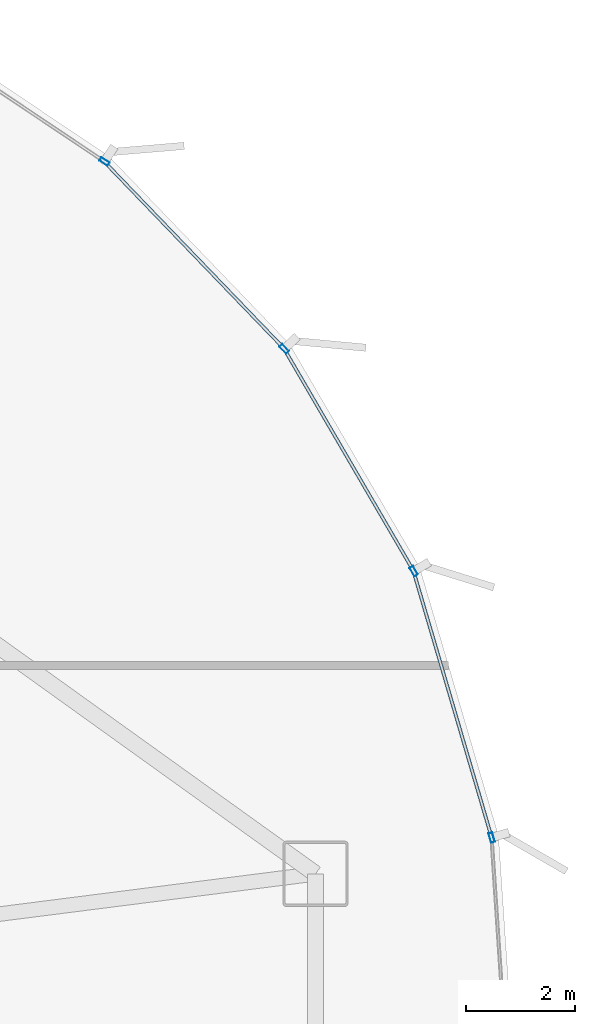
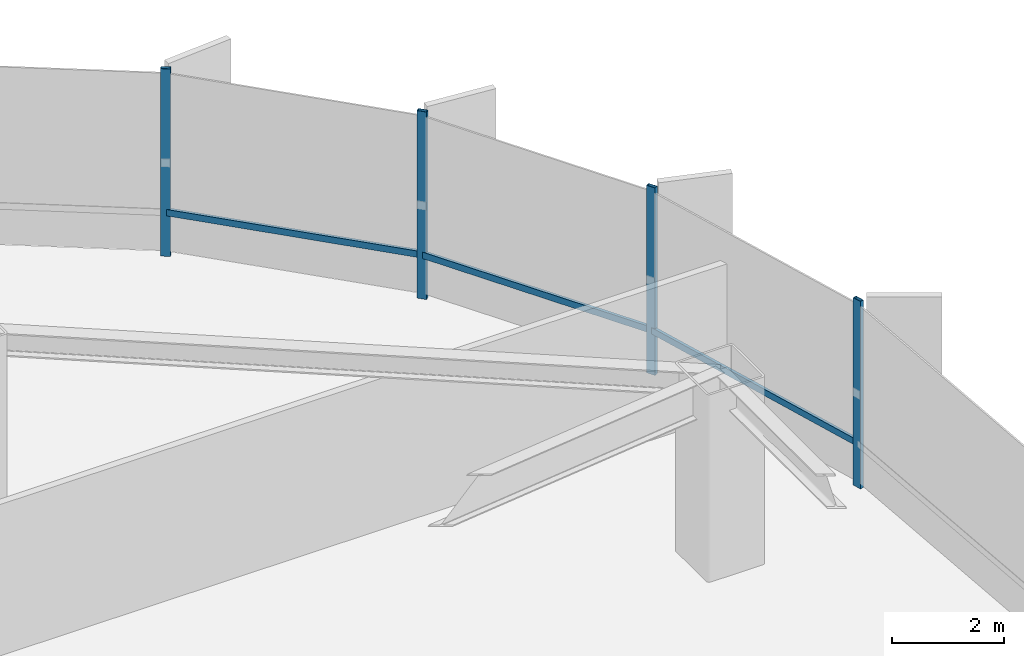
# One storey, part 21 of 34: 7 members, 1 element without a shape of its own.
"""IFC4 building model written with IfcOpenShell, lengths in metres."""

from ifc_helpers import new_model, si_unit, direction, frame, origin, origin_2d, place, context, subcontext, project, spatial, hollow_rectangle, extrude, source, transform, mapped, material, layer, layer_set, material_profile, profile_set, type_object, element, aggregate, save


model = new_model("IFC4")

# Units and contexts
model_context = context("Model", 3, precision=1e-05, world=origin(), true_north=direction((0.0, 1.0)))
body_context = subcontext(model_context, "Body", "Model", "MODEL_VIEW")
ifc_project = project(units=[si_unit("LENGTHUNIT", "METRE"), si_unit("AREAUNIT", "SQUARE_METRE"), si_unit("VOLUMEUNIT", "CUBIC_METRE"), si_unit("PLANEANGLEUNIT", "RADIAN"), si_unit("MASSUNIT", "GRAM", prefix="KILO"), si_unit("THERMODYNAMICTEMPERATUREUNIT", "KELVIN")], contexts=[model_context])

# Site, building, storey
site_placement = place(None, origin())
site = spatial("IfcSite", under=ifc_project, at=site_placement, CompositionType="ELEMENT")
building_placement = place(site_placement, origin())
building = spatial("IfcBuilding", under=site, at=building_placement, Name="Kethvar Cultural Tower", CompositionType="ELEMENT")
storey_placement = place(building_placement, frame((0.0, 0.0, 19.60009765625)))
storey = spatial("IfcBuildingStorey", under=building, at=storey_placement, Name="L04", CompositionType="ELEMENT", Elevation=19.60009765625)

# Curtain wall, members
ifc_material = material(Name="Aluminium 6063-T6", Category="aluminium")
ifc_layer = layer(ifc_material, 0.179931640625, Name="Aluminium 6063-T6", Category="aluminium")
ifc_layer_set = layer_set([ifc_layer], Name="Aluminium 6063-T6 (180 mm)")
curtain_wall_type = type_object("IfcCurtainWallType", Name="CW-SYS-01-POD", PredefinedType="NOTDEFINED", material=ifc_layer_set)
curtain_wall_placement = place(storey_placement, origin())
curtain_wall = element("IfcCurtainWall", 1, at=curtain_wall_placement, inside=storey, type_object=curtain_wall_type, Name="L04 Curtain Wall Run 01", PredefinedType="NOTDEFINED")
ifc_material_profile_1 = material_profile(ifc_material, hollow_rectangle(XDim=0.06005859375, YDim=0.139892578125, WallThickness=0.0048828125, at=origin_2d()), Name="Aluminium 6063-T6 — RHS140x60x5")
ifc_profile_set_1 = profile_set([ifc_material_profile_1], Name="Aluminium 6063-T6 — RHS140x60x5")
member_type_1 = type_object("IfcMemberType", Name="CW-SYS-01-POD-TRN", PredefinedType="USERDEFINED", material=ifc_profile_set_1)
shared_shape_1 = source(origin(), body_context, "Body", "SweptSolid", [
    extrude(hollow_rectangle(XDim=0.06005859375, YDim=0.139892578125, WallThickness=0.0048828125, at=origin_2d()), origin(), (0.0, 0.0, 1.0), 5.012451171875),
])
member_1_placement = place(storey_placement, frame((82.577880859375, 34.993896484375, 0.949951171875), z_axis=(-0.281770748473, 0.959481758714, 0.0), x_axis=(-0.959481758714, -0.281770748473, 0.0)))
member_1 = element("IfcMember", 2, at=member_1_placement, type_object=member_type_1, Name="CW-L04-R01 Transom 2", ObjectType="TRANSOM", PredefinedType="USERDEFINED", context=body_context, shape_type="MappedRepresentation", body=[
    mapped(shared_shape_1, transform((0.0, 0.0, 0.0), scale=1.0)),
])
shared_shape_2 = source(origin(), body_context, "Body", "SweptSolid", [
    extrude(hollow_rectangle(XDim=0.06005859375, YDim=0.139892578125, WallThickness=0.0048828125, at=origin_2d()), origin(), (0.0, 0.0, 1.0), 4.639892578125),
])
member_2_placement = place(storey_placement, frame((81.135498046875, 39.872802734375, 0.949951171875), z_axis=(-0.503504560489, 0.863992568004, 0.0), x_axis=(-0.863992568004, -0.503504560489, 0.0)))
member_2 = element("IfcMember", 3, at=member_2_placement, type_object=member_type_1, Name="CW-L04-R01 Transom 3", ObjectType="TRANSOM", PredefinedType="USERDEFINED", context=body_context, shape_type="MappedRepresentation", body=[
    mapped(shared_shape_2, transform((0.0, 0.0, 0.0), scale=1.0)),
])
shared_shape_3 = source(origin(), body_context, "Body", "SweptSolid", [
    extrude(hollow_rectangle(XDim=0.06005859375, YDim=0.139892578125, WallThickness=0.0048828125, at=origin_2d()), origin(), (0.0, 0.0, 1.0), 4.6826171875),
])
member_3_placement = place(storey_placement, frame((78.75341796875, 43.942626953125, 0.949951171875), z_axis=(-0.693341040309, 0.72060960431, 0.0), x_axis=(-0.72060960431, -0.693341040309, 0.0)))
member_3 = element("IfcMember", 4, at=member_3_placement, type_object=member_type_1, Name="CW-L04-R01 Transom 4", ObjectType="TRANSOM", PredefinedType="USERDEFINED", context=body_context, shape_type="MappedRepresentation", body=[
    mapped(shared_shape_3, transform((0.0, 0.0, 0.0), scale=1.0)),
])
ifc_material_profile_2 = material_profile(ifc_material, hollow_rectangle(XDim=0.074951171875, YDim=0.179931640625, WallThickness=0.006103515625, at=origin_2d()), Name="Aluminium 6063-T6 — RHS180x75x6")
ifc_profile_set_2 = profile_set([ifc_material_profile_2], Name="Aluminium 6063-T6 — RHS180x75x6")
member_type_2 = type_object("IfcMemberType", Name="CW-SYS-01-POD-MUL", PredefinedType="MULLION", material=ifc_profile_set_2)
shared_shape_4 = source(origin(), body_context, "Body", "SweptSolid", [
    extrude(hollow_rectangle(XDim=0.074951171875, YDim=0.179931640625, WallThickness=0.006103515625, at=origin_2d()), origin(), (0.0, 0.0, 1.0), 4.079833984375),
])
member_4_placement = place(storey_placement, frame((82.593017578125, 34.94189453125, 0.0), z_axis=(0.0, 0.0, 1.0), x_axis=(-0.959496102658, -0.28172190008, 0.0)))
member_4 = element("IfcMember", 5, at=member_4_placement, type_object=member_type_2, Name="CW-L04-R01 Mullion 2", PredefinedType="MULLION", context=body_context, shape_type="MappedRepresentation", body=[
    mapped(shared_shape_4, transform((0.0, 0.0, 0.0), scale=1.0)),
])
member_5_placement = place(storey_placement, frame((81.162841796875, 39.826171875, 0.0), z_axis=(0.0, 0.0, 1.0), x_axis=(-0.863984939927, -0.503517649721, 0.0)))
member_5 = element("IfcMember", 6, at=member_5_placement, type_object=member_type_2, Name="CW-L04-R01 Mullion 3", PredefinedType="MULLION", context=body_context, shape_type="MappedRepresentation", body=[
    mapped(shared_shape_4, transform((0.0, 0.0, 0.0), scale=1.0)),
])
member_6_placement = place(storey_placement, frame((78.790771484375, 43.90380859375, 0.0), z_axis=(0.0, 0.0, 1.0), x_axis=(-0.720611619661, -0.693338945689, 0.0)))
member_6 = element("IfcMember", 7, at=member_6_placement, type_object=member_type_2, Name="CW-L04-R01 Mullion 4", PredefinedType="MULLION", context=body_context, shape_type="MappedRepresentation", body=[
    mapped(shared_shape_4, transform((0.0, 0.0, 0.0), scale=1.0)),
])
member_7_placement = place(storey_placement, frame((75.49072265625, 47.337890625, 0.0), z_axis=(0.0, 0.0, 1.0), x_axis=(-0.556556649514, -0.830809662848, 0.0)))
member_7 = element("IfcMember", 8, at=member_7_placement, type_object=member_type_2, Name="CW-L04-R01 Mullion 5", PredefinedType="MULLION", context=body_context, shape_type="MappedRepresentation", body=[
    mapped(shared_shape_4, transform((0.0, 0.0, 0.0), scale=1.0)),
])
aggregate(curtain_wall, [member_4, member_5, member_6, member_7, member_1, member_2, member_3])

save(model, "model.ifc")
